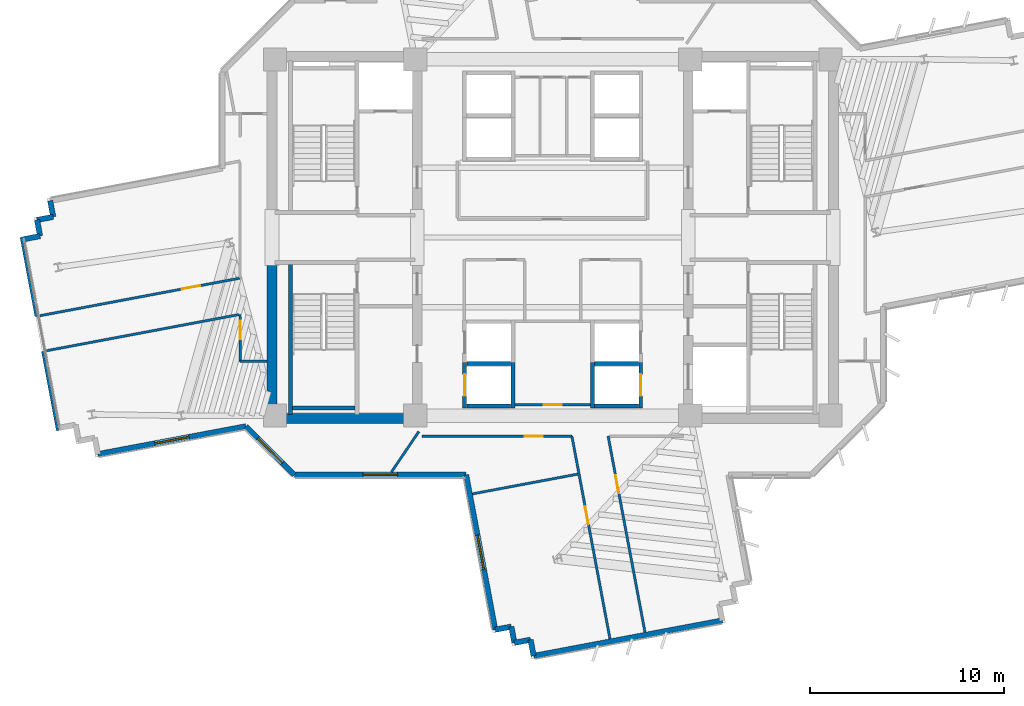
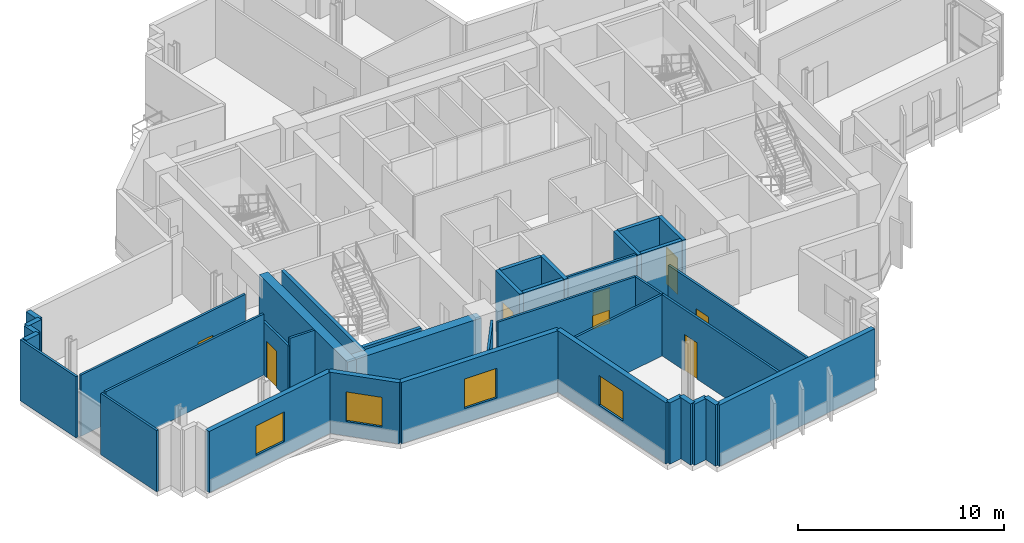
# One storey, part 8 of 16: 38 walls, 8 doors, 4 windows, 12 openings.
"""IFC4 building model written with IfcOpenShell, lengths in metres."""

from ifc_helpers import new_model, si_unit, direction, frame, frame_2d, origin, place, context, subcontext, project, spatial, rectangle, extrude, source, transform, mapped, material, layer, layer_set, type_object, element, fill, save


model = new_model("IFC4")

# Units and contexts
model_context = context("Model", 3, precision=1e-05, world=origin(), true_north=direction((0.0, 1.0)))
body_context = subcontext(model_context, "Body", "Model", "MODEL_VIEW")
ifc_project = project(units=[si_unit("LENGTHUNIT", "METRE"), si_unit("AREAUNIT", "SQUARE_METRE"), si_unit("VOLUMEUNIT", "CUBIC_METRE"), si_unit("PLANEANGLEUNIT", "RADIAN"), si_unit("MASSUNIT", "GRAM", prefix="KILO")], contexts=[model_context])

# Site, building, storey
site_placement = place(None, origin())
site = spatial("IfcSite", under=ifc_project, at=site_placement, CompositionType="ELEMENT")
building_placement = place(site_placement, origin())
building = spatial("IfcBuilding", under=site, at=building_placement, Name="Zahravan Cultural Tower", CompositionType="ELEMENT")
storey_placement = place(building_placement, frame((0.0, 0.0, 147.300048828125)))
storey = spatial("IfcBuildingStorey", under=building, at=storey_placement, Name="L33", CompositionType="ELEMENT", Elevation=147.300048828125)

# Wall, opening, window
ifc_material_1 = material(Name="Precast concrete C40/50", Category="concrete")
ifc_layer_1 = layer(ifc_material_1, 0.280029296875)
ifc_layer_set_1 = layer_set([ifc_layer_1], Name="Precast concrete C40/50")
wall_type_1 = type_object("IfcWallType", Name="EW-TC-280", PredefinedType="SOLIDWALL", material=ifc_layer_set_1)
wall_1_placement = place(storey_placement, frame((33.029052734375, 6.7431640625, 0.0), z_axis=(0.0, 0.0, 1.0), x_axis=(-0.184649032166, 0.982804525285, 0.0)))
wall_1 = element("IfcWall", 1, at=wall_1_placement, inside=storey, type_object=wall_type_1, Name="L33 Exterior Masonry Frame Wall 24", PredefinedType="SOLIDWALL", context=body_context, shape_type="SweptSolid", body=[
    extrude(rectangle(XDim=8.13671875, YDim=0.280029296875, at=frame_2d((4.068359375, 0.0))), origin(), (0.0, 0.0, 1.0), 3.619873046875),
])
opening_1_placement = place(wall_1_placement, frame((3.16796875, 0.0, 0.85009765625)))
opening_1 = element("IfcOpeningElement", 2, at=opening_1_placement, cuts=wall_1, Name="Opening WN-02", PredefinedType="OPENING", context=body_context, shape_type="SweptSolid", body=[
    extrude(rectangle(XDim=1.800048828125, YDim=1.75, at=frame_2d((0.89990234375, 0.875))), frame((0.0, 0.14990234375, 0.0), z_axis=(0.0, -1.0, 0.0), x_axis=(1.0, 0.0, 0.0)), (0.0, 0.0, 1.0), 0.300048828125),
])
ifc_material_2 = material(Name="Low-E solar-control double glazing", Category="glass")
window_type = type_object("IfcWindowType", Name="WN-REC-1800X1750", PartitioningType="DOUBLE_PANEL_VERTICAL", PredefinedType="WINDOW", material=ifc_material_2)
shared_shape_1 = source(origin(), body_context, "Body", "SweptSolid", [
    extrude(rectangle(XDim=1.800048828125, YDim=1.75, at=frame_2d((0.89990234375, 0.875))), frame((0.0, 0.030029296875, 0.0), z_axis=(0.0, -1.0, 0.0), x_axis=(1.0, 0.0, 0.0)), (0.0, 0.0, 1.0), 0.06005859375),
])
window_1_placement = place(opening_1_placement, origin())
window_1 = element("IfcWindow", 3, at=window_1_placement, inside=storey, type_object=window_type, Name="L33 Recessed Solar Window 05", OverallHeight=1.75, OverallWidth=1.800048828125, PartitioningType="DOUBLE_PANEL_VERTICAL", PredefinedType="WINDOW", context=body_context, shape_type="MappedRepresentation", body=[
    mapped(shared_shape_1, transform((0.0, 0.0, 0.0), x_axis=(1.0, 0.0, 0.0), y_axis=(0.0, 1.0, 0.0), z_axis=(0.0, 0.0, 1.0), scale=1.0)),
])
fill(opening_1, window_1)

wall_2_placement = place(storey_placement, frame((31.526611328125, 14.739990234375, 0.0), z_axis=(0.0, 0.0, 1.0), x_axis=(-1.0, 0.0, 0.0)))
wall_2 = element("IfcWall", 4, at=wall_2_placement, inside=storey, type_object=wall_type_1, Name="L33 Exterior Masonry Frame Wall 25", PredefinedType="SOLIDWALL", context=body_context, shape_type="SweptSolid", body=[
    extrude(rectangle(XDim=8.86865234375, YDim=0.280029296875, at=frame_2d((4.434326171875, 0.0))), origin(), (0.0, 0.0, 1.0), 3.619873046875),
])
opening_2_placement = place(wall_2_placement, frame((3.533935546875, 0.0, 0.85009765625)))
opening_2 = element("IfcOpeningElement", 5, at=opening_2_placement, cuts=wall_2, Name="Opening WN-02", PredefinedType="OPENING", context=body_context, shape_type="SweptSolid", body=[
    extrude(rectangle(XDim=1.800048828125, YDim=1.75, at=frame_2d((0.89990234375, 0.875))), frame((0.0, 0.14990234375, 0.0), z_axis=(0.0, -1.0, 0.0), x_axis=(1.0, 0.0, 0.0)), (0.0, 0.0, 1.0), 0.300048828125),
])
window_2_placement = place(opening_2_placement, origin())
window_2 = element("IfcWindow", 6, at=window_2_placement, inside=storey, type_object=window_type, Name="L33 Recessed Solar Window 06", OverallHeight=1.75, OverallWidth=1.800048828125, PartitioningType="DOUBLE_PANEL_VERTICAL", PredefinedType="WINDOW", context=body_context, shape_type="MappedRepresentation", body=[
    mapped(shared_shape_1, transform((0.0, 0.0, 0.0), x_axis=(1.0, 0.0, 0.0), y_axis=(0.0, 1.0, 0.0), z_axis=(0.0, 0.0, 1.0), scale=1.0)),
])
fill(opening_2, window_2)

wall_3_placement = place(storey_placement, frame((22.657958984375, 14.739990234375, 0.0), z_axis=(0.0, 0.0, 1.0), x_axis=(-0.707106781187, 0.707106781187, 0.0)))
wall_3 = element("IfcWall", 7, at=wall_3_placement, inside=storey, type_object=wall_type_1, Name="L33 Exterior Masonry Frame Wall 26", PredefinedType="SOLIDWALL", context=body_context, shape_type="SweptSolid", body=[
    extrude(rectangle(XDim=3.544189453125, YDim=0.280029296875, at=frame_2d((1.77197265625, 0.0))), origin(), (0.0, 0.0, 1.0), 3.619873046875),
])
opening_3_placement = place(wall_3_placement, frame((0.8720703125, 0.0, 0.85009765625)))
opening_3 = element("IfcOpeningElement", 8, at=opening_3_placement, cuts=wall_3, Name="Opening WN-02", PredefinedType="OPENING", context=body_context, shape_type="SweptSolid", body=[
    extrude(rectangle(XDim=1.800048828125, YDim=1.75, at=frame_2d((0.89990234375, 0.875))), frame((0.0, 0.14990234375, 0.0), z_axis=(0.0, -1.0, 0.0), x_axis=(1.0, 0.0, 0.0)), (0.0, 0.0, 1.0), 0.300048828125),
])
window_3_placement = place(opening_3_placement, origin())
window_3 = element("IfcWindow", 9, at=window_3_placement, inside=storey, type_object=window_type, Name="L33 Recessed Solar Window 07", OverallHeight=1.75, OverallWidth=1.800048828125, PartitioningType="DOUBLE_PANEL_VERTICAL", PredefinedType="WINDOW", context=body_context, shape_type="MappedRepresentation", body=[
    mapped(shared_shape_1, transform((0.0, 0.0, 0.0), x_axis=(1.0, 0.0, 0.0), y_axis=(0.0, 1.0, 0.0), z_axis=(0.0, 0.0, 1.0), scale=1.0)),
])
fill(opening_3, window_3)

wall_4_placement = place(storey_placement, frame((20.15185546875, 17.24609375, 0.0), z_axis=(0.0, 0.0, 1.0), x_axis=(-0.982809278234, -0.18462373254, 0.0)))
wall_4 = element("IfcWall", 10, at=wall_4_placement, inside=storey, type_object=wall_type_1, Name="L33 Exterior Masonry Frame Wall 27", PredefinedType="SOLIDWALL", context=body_context, shape_type="SweptSolid", body=[
    extrude(rectangle(XDim=7.783447265625, YDim=0.280029296875, at=frame_2d((3.8916015625, 0.0))), origin(), (0.0, 0.0, 1.0), 3.619873046875),
])
opening_4_placement = place(wall_4_placement, frame((2.991943359375, 0.0, 0.85009765625)))
opening_4 = element("IfcOpeningElement", 11, at=opening_4_placement, cuts=wall_4, Name="Opening WN-02", PredefinedType="OPENING", context=body_context, shape_type="SweptSolid", body=[
    extrude(rectangle(XDim=1.800048828125, YDim=1.75, at=frame_2d((0.89990234375, 0.875))), frame((0.0, 0.14990234375, 0.0), z_axis=(0.0, -1.0, 0.0), x_axis=(1.0, 0.0, 0.0)), (0.0, 0.0, 1.0), 0.300048828125),
])
window_4_placement = place(opening_4_placement, origin())
window_4 = element("IfcWindow", 12, at=window_4_placement, inside=storey, type_object=window_type, Name="L33 Recessed Solar Window 08", OverallHeight=1.75, OverallWidth=1.800048828125, PartitioningType="DOUBLE_PANEL_VERTICAL", PredefinedType="WINDOW", context=body_context, shape_type="MappedRepresentation", body=[
    mapped(shared_shape_1, transform((0.0, 0.0, 0.0), x_axis=(1.0, 0.0, 0.0), y_axis=(0.0, 1.0, 0.0), z_axis=(0.0, 0.0, 1.0), scale=1.0)),
])
fill(opening_4, window_4)

# Wall, opening, door
ifc_material_3 = material(Name="Gypsum plasterboard partition")
ifc_layer_2 = layer(ifc_material_3, 0.125)
ifc_layer_set_2 = layer_set([ifc_layer_2], Name="Gypsum plasterboard partition")
wall_type_2 = type_object("IfcWallType", Name="W-PART-125", PredefinedType="PARTITIONING", material=ifc_layer_set_2)
wall_5_placement = place(storey_placement, frame((37.945068359375, 18.360107421875, 0.0), z_axis=(0.0, 0.0, 1.0), x_axis=(-1.0, 0.0, 0.0)))
wall_5 = element("IfcWall", 13, at=wall_5_placement, inside=storey, type_object=wall_type_2, Name="L33 Interior Wall 075", PredefinedType="PARTITIONING", context=body_context, shape_type="SweptSolid", body=[
    extrude(rectangle(XDim=3.89013671875, YDim=0.125, at=frame_2d((1.945068359375, 0.0))), origin(), (0.0, 0.0, 1.0), 3.619873046875),
])
opening_5_placement = place(wall_5_placement, frame((1.469970703125, 0.0, 0.0)))
opening_5 = element("IfcOpeningElement", 14, at=opening_5_placement, cuts=wall_5, Name="Opening D-L33-17", PredefinedType="OPENING", context=body_context, shape_type="SweptSolid", body=[
    extrude(rectangle(XDim=0.949951171875, YDim=2.14990234375, at=frame_2d((0.47509765625, 1.074951171875))), frame((0.0, 0.072509765625, 0.0), z_axis=(0.0, -1.0, 0.0), x_axis=(1.0, 0.0, 0.0)), (0.0, 0.0, 1.0), 0.14501953125),
])
ifc_material_4 = material(Name="Anodised bronze-aluminium mullion", Category="aluminium")
door_type_1 = type_object("IfcDoorType", Name="DR-ROOM-950", OperationType="NOTDEFINED", PredefinedType="DOOR", material=ifc_material_4)
shared_shape_2 = source(origin(), body_context, "Body", "SweptSolid", [
    extrude(rectangle(XDim=0.949951171875, YDim=2.14990234375, at=frame_2d((0.47509765625, 1.074951171875))), frame((0.0, 0.02490234375, 0.0), z_axis=(0.0, -1.0, 0.0), x_axis=(1.0, 0.0, 0.0)), (0.0, 0.0, 1.0), 0.050048828125),
])
door_1_placement = place(opening_5_placement, origin())
door_1 = element("IfcDoor", 15, at=door_1_placement, inside=storey, type_object=door_type_1, Name="L33 Door D-L33-17", OperationType="SINGLE_SWING_LEFT", OverallHeight=2.14990234375, OverallWidth=0.949951171875, PredefinedType="DOOR", context=body_context, shape_type="MappedRepresentation", body=[
    mapped(shared_shape_2, transform((0.0, 0.0, 0.0), x_axis=(1.0, 0.0, 0.0), y_axis=(0.0, 1.0, 0.0), z_axis=(0.0, 0.0, 1.0), scale=1.0)),
])
fill(opening_5, door_1)

wall_6_placement = place(storey_placement, frame((29.255859375, 16.739990234375, 0.0), z_axis=(0.0, 0.0, 1.0), x_axis=(1.0, 0.0, 0.0)))
wall_6 = element("IfcWall", 16, at=wall_6_placement, inside=storey, type_object=wall_type_2, Name="L33 Interior Wall 080", PredefinedType="PARTITIONING", context=body_context, shape_type="SweptSolid", body=[
    extrude(rectangle(XDim=7.735595703125, YDim=0.125, at=frame_2d((3.86767578125, 0.0))), origin(), (0.0, 0.0, 1.0), 3.619873046875),
])
opening_6_placement = place(wall_6_placement, frame((5.292724609375, 0.0, 0.0)))
opening_6 = element("IfcOpeningElement", 17, at=opening_6_placement, cuts=wall_6, Name="Opening D-L33-27", PredefinedType="OPENING", context=body_context, shape_type="SweptSolid", body=[
    extrude(rectangle(XDim=0.949951171875, YDim=2.14990234375, at=frame_2d((0.47509765625, 1.074951171875))), frame((0.0, 0.072509765625, 0.0), z_axis=(0.0, -1.0, 0.0), x_axis=(1.0, 0.0, 0.0)), (0.0, 0.0, 1.0), 0.14501953125),
])
door_2_placement = place(opening_6_placement, origin())
door_2 = element("IfcDoor", 18, at=door_2_placement, inside=storey, type_object=door_type_1, Name="L33 Door D-L33-27", OperationType="SINGLE_SWING_LEFT", OverallHeight=2.14990234375, OverallWidth=0.949951171875, PredefinedType="DOOR", context=body_context, shape_type="MappedRepresentation", body=[
    mapped(shared_shape_2, transform((0.0, 0.0, 0.0), x_axis=(1.0, 0.0, 0.0), y_axis=(0.0, 1.0, 0.0), z_axis=(0.0, 0.0, 1.0), scale=1.0)),
])
fill(opening_6, door_2)

wall_7_placement = place(storey_placement, frame((37.361328125, 14.77099609375, 0.0), z_axis=(0.0, 0.0, 1.0), x_axis=(0.18463806937, -0.982806584908, 0.0)))
wall_7 = element("IfcWall", 19, at=wall_7_placement, inside=storey, type_object=wall_type_2, Name="L33 Interior Wall 088", PredefinedType="PARTITIONING", context=body_context, shape_type="SweptSolid", body=[
    extrude(rectangle(XDim=8.64501953125, YDim=0.125, at=frame_2d((4.322509765625, 0.0))), origin(), (0.0, 0.0, 1.0), 3.619873046875),
])
opening_7_placement = place(wall_7_placement, frame((1.69287109375, 0.0, 0.0)))
opening_7 = element("IfcOpeningElement", 20, at=opening_7_placement, cuts=wall_7, Name="Opening D-L33-28", PredefinedType="OPENING", context=body_context, shape_type="SweptSolid", body=[
    extrude(rectangle(XDim=0.949951171875, YDim=2.14990234375, at=frame_2d((0.47509765625, 1.074951171875))), frame((0.0, 0.072509765625, 0.0), z_axis=(0.0, -1.0, 0.0), x_axis=(1.0, 0.0, 0.0)), (0.0, 0.0, 1.0), 0.14501953125),
])
door_3_placement = place(opening_7_placement, origin())
door_3 = element("IfcDoor", 21, at=door_3_placement, inside=storey, type_object=door_type_1, Name="L33 Door D-L33-28", OperationType="SINGLE_SWING_RIGHT", OverallHeight=2.14990234375, OverallWidth=0.949951171875, PredefinedType="DOOR", context=body_context, shape_type="MappedRepresentation", body=[
    mapped(shared_shape_2, transform((0.0, 0.0, 0.0), x_axis=(1.0, 0.0, 0.0), y_axis=(0.0, 1.0, 0.0), z_axis=(0.0, 0.0, 1.0), scale=1.0)),
])
fill(opening_7, door_3)

wall_8_placement = place(storey_placement, frame((19.849853515625, 24.902099609375, 0.0), z_axis=(0.0, 0.0, 1.0), x_axis=(-0.982804817995, -0.184647474194, 0.0)))
wall_8 = element("IfcWall", 22, at=wall_8_placement, inside=storey, type_object=wall_type_2, Name="L33 Interior Wall 096", PredefinedType="PARTITIONING", context=body_context, shape_type="SweptSolid", body=[
    extrude(rectangle(XDim=10.5126953125, YDim=0.125, at=frame_2d((5.25634765625, 0.0))), origin(), (0.0, 0.0, 1.0), 3.619873046875),
])
opening_8_placement = place(wall_8_placement, frame((2.103759765625, 0.0, 0.0)))
opening_8 = element("IfcOpeningElement", 23, at=opening_8_placement, cuts=wall_8, Name="Opening D-L33-25", PredefinedType="OPENING", context=body_context, shape_type="SweptSolid", body=[
    extrude(rectangle(XDim=0.949951171875, YDim=2.14990234375, at=frame_2d((0.47509765625, 1.074951171875))), frame((0.0, 0.072509765625, 0.0), z_axis=(0.0, -1.0, 0.0), x_axis=(1.0, 0.0, 0.0)), (0.0, 0.0, 1.0), 0.14501953125),
])
door_4_placement = place(opening_8_placement, origin())
door_4 = element("IfcDoor", 24, at=door_4_placement, inside=storey, type_object=door_type_1, Name="L33 Door D-L33-25", OperationType="SINGLE_SWING_LEFT", OverallHeight=2.14990234375, OverallWidth=0.949951171875, PredefinedType="DOOR", context=body_context, shape_type="MappedRepresentation", body=[
    mapped(shared_shape_2, transform((0.0, 0.0, 0.0), x_axis=(1.0, 0.0, 0.0), y_axis=(0.0, 1.0, 0.0), z_axis=(0.0, 0.0, 1.0), scale=1.0)),
])
fill(opening_8, door_4)

wall_9_placement = place(storey_placement, frame((40.765869140625, 6.614501953125, 0.0), z_axis=(0.0, 0.0, 1.0), x_axis=(-0.184646211839, 0.982805055163, 0.0)))
wall_9 = element("IfcWall", 25, at=wall_9_placement, inside=storey, type_object=wall_type_2, Name="L33 Interior Wall 097", PredefinedType="PARTITIONING", context=body_context, shape_type="SweptSolid", body=[
    extrude(rectangle(XDim=10.302734375, YDim=0.125, at=frame_2d((5.1513671875, 0.0))), origin(), (0.0, 0.0, 1.0), 3.619873046875),
])
opening_9_placement = place(wall_9_placement, frame((7.295166015625, 0.0, 0.0)))
opening_9 = element("IfcOpeningElement", 26, at=opening_9_placement, cuts=wall_9, Name="Opening D-L33-29", PredefinedType="OPENING", context=body_context, shape_type="SweptSolid", body=[
    extrude(rectangle(XDim=0.949951171875, YDim=2.14990234375, at=frame_2d((0.47509765625, 1.074951171875))), frame((0.0, 0.072509765625, 0.0), z_axis=(0.0, -1.0, 0.0), x_axis=(1.0, 0.0, 0.0)), (0.0, 0.0, 1.0), 0.14501953125),
])
door_5_placement = place(opening_9_placement, origin())
door_5 = element("IfcDoor", 27, at=door_5_placement, inside=storey, type_object=door_type_1, Name="L33 Door D-L33-29", OperationType="SINGLE_SWING_LEFT", OverallHeight=2.14990234375, OverallWidth=0.949951171875, PredefinedType="DOOR", context=body_context, shape_type="MappedRepresentation", body=[
    mapped(shared_shape_2, transform((0.0, 0.0, 0.0), x_axis=(1.0, 0.0, 0.0), y_axis=(0.0, 1.0, 0.0), z_axis=(0.0, 0.0, 1.0), scale=1.0)),
])
fill(opening_9, door_5)

wall_10_placement = place(storey_placement, frame((19.85009765625, 23.02978515625, 0.0), z_axis=(0.0, 0.0, 1.0), x_axis=(0.00040209084, -0.999999919161, 0.0)))
wall_10 = element("IfcWall", 28, at=wall_10_placement, inside=storey, type_object=wall_type_2, Name="L33 Interior Wall 105", PredefinedType="PARTITIONING", context=body_context, shape_type="SweptSolid", body=[
    extrude(rectangle(XDim=2.4287109375, YDim=0.125, at=frame_2d((1.21435546875, 0.0))), origin(), (0.0, 0.0, 1.0), 3.14892578125),
])
opening_10_placement = place(wall_10_placement, frame((0.3251953125, 0.0, 0.0)))
opening_10 = element("IfcOpeningElement", 29, at=opening_10_placement, cuts=wall_10, Name="Opening D-L33-26", PredefinedType="OPENING", context=body_context, shape_type="SweptSolid", body=[
    extrude(rectangle(XDim=0.949951171875, YDim=2.14990234375, at=frame_2d((0.47509765625, 1.074951171875))), frame((0.0, 0.072509765625, 0.0), z_axis=(0.0, -1.0, 0.0), x_axis=(1.0, 0.0, 0.0)), (0.0, 0.0, 1.0), 0.14501953125),
])
door_6_placement = place(opening_10_placement, origin())
door_6 = element("IfcDoor", 30, at=door_6_placement, inside=storey, type_object=door_type_1, Name="L33 Door D-L33-26", OperationType="SINGLE_SWING_RIGHT", OverallHeight=2.14990234375, OverallWidth=0.949951171875, PredefinedType="DOOR", context=body_context, shape_type="MappedRepresentation", body=[
    mapped(shared_shape_2, transform((0.0, 0.0, 0.0), x_axis=(1.0, 0.0, 0.0), y_axis=(0.0, 1.0, 0.0), z_axis=(0.0, 0.0, 1.0), scale=1.0)),
])
fill(opening_10, door_6)

ifc_material_5 = material(Name="Concrete C45/55", Category="concrete")
ifc_layer_3 = layer(ifc_material_5, 0.199951171875)
ifc_layer_set_3 = layer_set([ifc_layer_3], Name="Concrete C45/55")
wall_type_3 = type_object("IfcWallType", Name="W-SHAFT-200", PredefinedType="SOLIDWALL", material=ifc_layer_set_3)
wall_11_placement = place(storey_placement, frame((31.449951171875, 18.199951171875, 0.0), z_axis=(0.0, 0.0, 1.0), x_axis=(0.0, 1.0, 0.0)))
wall_11 = element("IfcWall", 31, at=wall_11_placement, inside=storey, type_object=wall_type_3, Name="L33 Interior Wall 044", PredefinedType="SOLIDWALL", context=body_context, shape_type="SweptSolid", body=[
    extrude(rectangle(XDim=2.35009765625, YDim=0.199951171875, at=frame_2d((1.175048828125, 0.0))), origin(), (0.0, 0.0, 1.0), 3.619873046875),
])
opening_11_placement = place(wall_11_placement, frame((0.625, 0.0, 0.0)))
opening_11 = element("IfcOpeningElement", 32, at=opening_11_placement, cuts=wall_11, Name="Opening LD-L33-05", PredefinedType="OPENING", context=body_context, shape_type="SweptSolid", body=[
    extrude(rectangle(XDim=1.10009765625, YDim=2.14990234375, at=frame_2d((0.550048828125, 1.074951171875))), frame((0.0, 0.10986328125, 0.0), z_axis=(0.0, -1.0, 0.0), x_axis=(1.0, 0.0, 0.0)), (0.0, 0.0, 1.0), 0.219970703125),
])
ifc_material_6 = material(Name="Steel ASTM A572 Grade 50", Category="steel")
door_type_2 = type_object("IfcDoorType", Name="DR-LIFT-1100", OperationType="DOUBLE_DOOR_SLIDING", PredefinedType="DOOR", material=ifc_material_6)
shared_shape_3 = source(origin(), body_context, "Body", "SweptSolid", [
    extrude(rectangle(XDim=1.10009765625, YDim=2.14990234375, at=frame_2d((0.550048828125, 1.074951171875))), frame((0.0, 0.02490234375, 0.0), z_axis=(0.0, -1.0, 0.0), x_axis=(1.0, 0.0, 0.0)), (0.0, 0.0, 1.0), 0.050048828125),
])
door_7_placement = place(opening_11_placement, origin())
door_7 = element("IfcDoor", 33, at=door_7_placement, inside=storey, type_object=door_type_2, Name="L33 Door LD-L33-05", OperationType="DOUBLE_DOOR_SLIDING", OverallHeight=2.14990234375, OverallWidth=1.10009765625, PredefinedType="DOOR", context=body_context, shape_type="MappedRepresentation", body=[
    mapped(shared_shape_3, transform((0.0, 0.0, 0.0), x_axis=(1.0, 0.0, 0.0), y_axis=(0.0, 1.0, 0.0), z_axis=(0.0, 0.0, 1.0), scale=1.0)),
])
fill(opening_11, door_7)

wall_12_placement = place(storey_placement, frame((40.550048828125, 18.199951171875, 0.0), z_axis=(0.0, 0.0, 1.0), x_axis=(0.0, 1.0, 0.0)))
wall_12 = element("IfcWall", 34, at=wall_12_placement, inside=storey, type_object=wall_type_3, Name="L33 Interior Wall 052", PredefinedType="SOLIDWALL", context=body_context, shape_type="SweptSolid", body=[
    extrude(rectangle(XDim=2.35009765625, YDim=0.199951171875, at=frame_2d((1.175048828125, 0.0))), origin(), (0.0, 0.0, 1.0), 3.619873046875),
])
opening_12_placement = place(wall_12_placement, frame((0.625, 0.0, 0.0)))
opening_12 = element("IfcOpeningElement", 35, at=opening_12_placement, cuts=wall_12, Name="Opening LD-L33-07", PredefinedType="OPENING", context=body_context, shape_type="SweptSolid", body=[
    extrude(rectangle(XDim=1.10009765625, YDim=2.14990234375, at=frame_2d((0.550048828125, 1.074951171875))), frame((0.0, 0.10986328125, 0.0), z_axis=(0.0, -1.0, 0.0), x_axis=(1.0, 0.0, 0.0)), (0.0, 0.0, 1.0), 0.219970703125),
])
door_8_placement = place(opening_12_placement, origin())
door_8 = element("IfcDoor", 36, at=door_8_placement, inside=storey, type_object=door_type_2, Name="L33 Door LD-L33-07", OperationType="DOUBLE_DOOR_SLIDING", OverallHeight=2.14990234375, OverallWidth=1.10009765625, PredefinedType="DOOR", context=body_context, shape_type="MappedRepresentation", body=[
    mapped(shared_shape_3, transform((0.0, 0.0, 0.0), x_axis=(1.0, 0.0, 0.0), y_axis=(0.0, 1.0, 0.0), z_axis=(0.0, 0.0, 1.0), scale=1.0)),
])
fill(opening_12, door_8)

# Walls
ifc_material_7 = material(Name="Concrete C60/75", Category="concrete")
ifc_layer_4 = layer(ifc_material_7, 0.5)
ifc_layer_set_4 = layer_set([ifc_layer_4], Name="Concrete C60/75")
wall_type_4 = type_object("IfcWallType", Name="CW-SHEAR-500-C60", PredefinedType="SHEAR", material=ifc_layer_set_4)
shared_shape_4 = source(origin(), body_context, "Body", "SweptSolid", [
    extrude(rectangle(XDim=8.550048828125, YDim=0.5, at=frame_2d((4.27490234375, 0.0))), origin(), (0.0, 0.0, 1.0), 3.619873046875),
])
wall_13_placement = place(storey_placement, frame((21.5, 17.39990234375, 0.0), z_axis=(0.0, 0.0, 1.0), x_axis=(0.0, 1.0, 0.0)))
element("IfcWall", 37, at=wall_13_placement, inside=storey, type_object=wall_type_4, Name="L33 Core Shear Wall CW-W-WS-L33", PredefinedType="SHEAR", context=body_context, shape_type="MappedRepresentation", body=[
    mapped(shared_shape_4, transform((0.0, 0.0, 0.0), x_axis=(1.0, 0.0, 0.0), y_axis=(0.0, 1.0, 0.0), z_axis=(0.0, 0.0, 1.0), scale=1.0)),
])
shared_shape_5 = source(origin(), body_context, "Body", "SweptSolid", [
    extrude(rectangle(XDim=7.0, YDim=0.5, at=frame_2d((3.5, 0.0))), origin(), (0.0, 0.0, 1.0), 3.619873046875),
])
wall_14_placement = place(storey_placement, frame((21.75, 17.64990234375, 0.0), z_axis=(0.0, 0.0, 1.0), x_axis=(1.0, 0.0, 0.0)))
element("IfcWall", 38, at=wall_14_placement, inside=storey, type_object=wall_type_4, Name="L33 Core Shear Wall CW-W-S-L33", PredefinedType="SHEAR", context=body_context, shape_type="MappedRepresentation", body=[
    mapped(shared_shape_5, transform((0.0, 0.0, 0.0), x_axis=(1.0, 0.0, 0.0), y_axis=(0.0, 1.0, 0.0), z_axis=(0.0, 0.0, 1.0), scale=1.0)),
])
shared_shape_6 = source(origin(), body_context, "Body", "SweptSolid", [
    extrude(rectangle(XDim=0.85009765625, YDim=0.280029296875, at=frame_2d((0.425048828125, 0.0))), origin(), (0.0, 0.0, 1.0), 3.619873046875),
])
for number, where, z_axis, x_axis, name in (
    (39, (35.013916015625, 5.38623046875, 0.0), (0.0, 0.0, 1.0), (-0.184670010318, 0.982800583684, 0.0), "L33 Exterior Masonry Frame Wall 20"),
    (40, (34.85693359375, 6.2216796875, 0.0), (0.0, 0.0, 1.0), (-0.982800583684, -0.184670010318, 0.0), "L33 Exterior Masonry Frame Wall 21"),
    (41, (34.021484375, 6.064697265625, 0.0), (0.0, 0.0, 1.0), (-0.184670010318, 0.982800583684, 0.0), "L33 Exterior Masonry Frame Wall 22"),
    (42, (33.864501953125, 6.900146484375, 0.0), (0.0, 0.0, 1.0), (-0.982800583684, -0.184670010318, 0.0), "L33 Exterior Masonry Frame Wall 23"),
    (43, (8.68603515625, 26.915283203125, 0.0), (0.0, 0.0, 1.0), (0.982800583684, 0.184670010318, 0.0), "L33 Exterior Masonry Frame Wall 32"),
    (44, (9.521484375, 27.072265625, 0.0), (0.0, 0.0, 1.0), (-0.184670010318, 0.982800583684, 0.0), "L33 Exterior Masonry Frame Wall 33"),
    (45, (10.19970703125, 28.064697265625, 0.0), (0.0, 0.0, 1.0), (-0.184392582027, 0.982852672425, 0.0), "L33 Exterior Masonry Frame Wall 35"),
):
    element("IfcWall", number, at=place(storey_placement, frame(where, z_axis=z_axis, x_axis=x_axis)), inside=storey, type_object=wall_type_1, Name=name, PredefinedType="SOLIDWALL", context=body_context, shape_type="MappedRepresentation", body=[
        mapped(shared_shape_6, transform((0.0, 0.0, 0.0), x_axis=(1.0, 0.0, 0.0), y_axis=(0.0, 1.0, 0.0), z_axis=(0.0, 0.0, 1.0), scale=1.0)),
    ])
shared_shape_7 = source(origin(), body_context, "Body", "SweptSolid", [
    extrude(rectangle(XDim=0.849853515625, YDim=0.280029296875, at=frame_2d((0.4248046875, 0.0))), origin(), (0.0, 0.0, 1.0), 3.619873046875),
])
wall_15_placement = place(storey_placement, frame((9.364501953125, 27.90771484375, 0.0), z_axis=(0.0, 0.0, 1.0), x_axis=(0.982790785128, 0.184722149909, 0.0)))
element("IfcWall", 46, at=wall_15_placement, inside=storey, type_object=wall_type_1, Name="L33 Exterior Masonry Frame Wall 34", PredefinedType="SOLIDWALL", context=body_context, shape_type="MappedRepresentation", body=[
    mapped(shared_shape_7, transform((0.0, 0.0, 0.0), x_axis=(1.0, 0.0, 0.0), y_axis=(0.0, 1.0, 0.0), z_axis=(0.0, 0.0, 1.0), scale=1.0)),
])
shared_shape_8 = source(origin(), body_context, "Body", "SweptSolid", [
    extrude(rectangle(XDim=9.919921875, YDim=0.280029296875, at=frame_2d((4.9599609375, 0.0))), origin(), (0.0, 0.0, 1.0), 3.619873046875),
])
wall_16_placement = place(storey_placement, frame((44.76318359375, 7.2177734375, 0.0), z_axis=(0.0, 0.0, 1.0), x_axis=(-0.982807207568, -0.184634754994, 0.0)))
element("IfcWall", 47, at=wall_16_placement, inside=storey, type_object=wall_type_1, Name="L33 Exterior Masonry Frame Wall 19", PredefinedType="SOLIDWALL", context=body_context, shape_type="MappedRepresentation", body=[
    mapped(shared_shape_8, transform((0.0, 0.0, 0.0), x_axis=(1.0, 0.0, 0.0), y_axis=(0.0, 1.0, 0.0), z_axis=(0.0, 0.0, 1.0), scale=1.0)),
])
shared_shape_9 = source(origin(), body_context, "Body", "SweptSolid", [
    extrude(rectangle(XDim=7.869873046875, YDim=0.199951171875, at=frame_2d((3.93505859375, 0.0))), origin(), (0.0, 0.0, 1.0), 3.619873046875),
])
wall_17_placement = place(storey_placement, frame((22.449951171875, 17.85009765625, 0.0), z_axis=(0.0, 0.0, 1.0), x_axis=(0.0, 1.0, 0.0)))
element("IfcWall", 48, at=wall_17_placement, inside=storey, type_object=wall_type_3, Name="L33 Interior Wall 001", PredefinedType="SOLIDWALL", context=body_context, shape_type="MappedRepresentation", body=[
    mapped(shared_shape_9, transform((0.0, 0.0, 0.0), x_axis=(1.0, 0.0, 0.0), y_axis=(0.0, 1.0, 0.0), z_axis=(0.0, 0.0, 1.0), scale=1.0)),
])
shared_shape_10 = source(origin(), body_context, "Body", "SweptSolid", [
    extrude(rectangle(XDim=3.25, YDim=0.199951171875, at=frame_2d((1.625, 0.0))), origin(), (0.0, 0.0, 1.0), 3.619873046875),
])
wall_18_placement = place(storey_placement, frame((22.550048828125, 18.199951171875, 0.0), z_axis=(0.0, 0.0, 1.0), x_axis=(1.0, 0.0, 0.0)))
element("IfcWall", 49, at=wall_18_placement, inside=storey, type_object=wall_type_3, Name="L33 Interior Wall 019", PredefinedType="SOLIDWALL", context=body_context, shape_type="MappedRepresentation", body=[
    mapped(shared_shape_10, transform((0.0, 0.0, 0.0), x_axis=(1.0, 0.0, 0.0), y_axis=(0.0, 1.0, 0.0), z_axis=(0.0, 0.0, 1.0), scale=1.0)),
])
shared_shape_11 = source(origin(), body_context, "Body", "SweptSolid", [
    extrude(rectangle(XDim=2.260009765625, YDim=0.199951171875, at=frame_2d((1.1298828125, 0.0))), origin(), (0.0, 0.0, 1.0), 3.619873046875),
])
for number, where, z_axis, x_axis, name in (
    (50, (31.570068359375, 20.5, 0.0), (0.0, 0.0, 1.0), (1.0, 0.0, 0.0), "L33 Interior Wall 042"),
    (51, (31.570068359375, 18.300048828125, 0.0), (0.0, 0.0, 1.0), (1.0, 0.0, 0.0), "L33 Interior Wall 046"),
    (52, (38.169921875, 20.5, 0.0), (0.0, 0.0, 1.0), (1.0, 0.0, 0.0), "L33 Interior Wall 049"),
    (53, (38.169921875, 18.300048828125, 0.0), (0.0, 0.0, 1.0), (1.0, 0.0, 0.0), "L33 Interior Wall 053"),
):
    element("IfcWall", number, at=place(storey_placement, frame(where, z_axis=z_axis, x_axis=x_axis)), inside=storey, type_object=wall_type_3, Name=name, PredefinedType="SOLIDWALL", context=body_context, shape_type="MappedRepresentation", body=[
        mapped(shared_shape_11, transform((0.0, 0.0, 0.0), x_axis=(1.0, 0.0, 0.0), y_axis=(0.0, 1.0, 0.0), z_axis=(0.0, 0.0, 1.0), scale=1.0)),
    ])
shared_shape_12 = source(origin(), body_context, "Body", "SweptSolid", [
    extrude(rectangle(XDim=2.35009765625, YDim=0.199951171875, at=frame_2d((1.175048828125, 0.0))), origin(), (0.0, 0.0, 1.0), 3.619873046875),
])
for number, where, z_axis, x_axis, name in (
    (54, (33.949951171875, 18.199951171875, 0.0), (0.0, 0.0, 1.0), (0.0, 1.0, 0.0), "L33 Interior Wall 045"),
    (55, (38.050048828125, 18.199951171875, 0.0), (0.0, 0.0, 1.0), (0.0, 1.0, 0.0), "L33 Interior Wall 051"),
):
    element("IfcWall", number, at=place(storey_placement, frame(where, z_axis=z_axis, x_axis=x_axis)), inside=storey, type_object=wall_type_3, Name=name, PredefinedType="SOLIDWALL", context=body_context, shape_type="MappedRepresentation", body=[
        mapped(shared_shape_12, transform((0.0, 0.0, 0.0), x_axis=(1.0, 0.0, 0.0), y_axis=(0.0, 1.0, 0.0), z_axis=(0.0, 0.0, 1.0), scale=1.0)),
    ])
shared_shape_13 = source(origin(), body_context, "Body", "SweptSolid", [
    extrude(rectangle(XDim=1.9833984375, YDim=0.125, at=frame_2d((0.99169921875, 0.0))), origin(), (0.0, 0.0, 1.0), 3.619873046875),
])
wall_19_placement = place(storey_placement, frame((36.991455078125, 16.739990234375, 0.0), z_axis=(0.0, 0.0, 1.0), x_axis=(0.184645271511, -0.982805231828, 0.0)))
element("IfcWall", 56, at=wall_19_placement, inside=storey, type_object=wall_type_2, Name="L33 Interior Wall 081", PredefinedType="PARTITIONING", context=body_context, shape_type="MappedRepresentation", body=[
    mapped(shared_shape_13, transform((0.0, 0.0, 0.0), x_axis=(1.0, 0.0, 0.0), y_axis=(0.0, 1.0, 0.0), z_axis=(0.0, 0.0, 1.0), scale=1.0)),
])
shared_shape_14 = source(origin(), body_context, "Body", "SweptSolid", [
    extrude(rectangle(XDim=5.52734375, YDim=0.125, at=frame_2d((2.763671875, 0.0))), origin(), (0.0, 0.0, 1.0), 3.619873046875),
])
wall_20_placement = place(storey_placement, frame((37.291259765625, 14.7783203125, 0.0), z_axis=(0.0, 0.0, 1.0), x_axis=(-0.982808624954, -0.184627210117, 0.0)))
element("IfcWall", 57, at=wall_20_placement, inside=storey, type_object=wall_type_2, Name="L33 Interior Wall 082", PredefinedType="PARTITIONING", context=body_context, shape_type="MappedRepresentation", body=[
    mapped(shared_shape_14, transform((0.0, 0.0, 0.0), x_axis=(1.0, 0.0, 0.0), y_axis=(0.0, 1.0, 0.0), z_axis=(0.0, 0.0, 1.0), scale=1.0)),
])
shared_shape_15 = source(origin(), body_context, "Body", "SweptSolid", [
    extrude(rectangle(XDim=2.529541015625, YDim=0.125, at=frame_2d((1.2646484375, 0.0))), origin(), (0.0, 0.0, 1.0), 3.619873046875),
])
wall_21_placement = place(storey_placement, frame((27.669677734375, 14.885009765625, 0.0), z_axis=(0.0, 0.0, 1.0), x_axis=(0.560455418396, 0.82818459536, 0.0)))
element("IfcWall", 58, at=wall_21_placement, inside=storey, type_object=wall_type_2, Name="L33 Interior Wall 083", PredefinedType="PARTITIONING", context=body_context, shape_type="MappedRepresentation", body=[
    mapped(shared_shape_15, transform((0.0, 0.0, 0.0), x_axis=(1.0, 0.0, 0.0), y_axis=(0.0, 1.0, 0.0), z_axis=(0.0, 0.0, 1.0), scale=1.0)),
])
shared_shape_16 = source(origin(), body_context, "Body", "SweptSolid", [
    extrude(rectangle(XDim=4.159912109375, YDim=0.125, at=frame_2d((2.080078125, 0.0))), origin(), (0.0, 0.0, 1.0), 3.619873046875),
])
for number, where, z_axis, x_axis, name in (
    (59, (9.31396484375, 22.922607421875, 0.0), (0.0, 0.0, 1.0), (-0.184635785614, 0.982807013951, 0.0), "L33 Interior Wall 093"),
    (60, (10.421875, 17.02587890625, 0.0), (0.0, 0.0, 1.0), (-0.184635785614, 0.982807013951, 0.0), "L33 Interior Wall 107"),
):
    element("IfcWall", number, at=place(storey_placement, frame(where, z_axis=z_axis, x_axis=x_axis)), inside=storey, type_object=wall_type_2, Name=name, PredefinedType="PARTITIONING", context=body_context, shape_type="MappedRepresentation", body=[
        mapped(shared_shape_16, transform((0.0, 0.0, 0.0), x_axis=(1.0, 0.0, 0.0), y_axis=(0.0, 1.0, 0.0), z_axis=(0.0, 0.0, 1.0), scale=1.0)),
    ])
shared_shape_17 = source(origin(), body_context, "Body", "SweptSolid", [
    extrude(rectangle(XDim=1.39404296875, YDim=0.125, at=frame_2d((0.697021484375, 0.0))), origin(), (0.0, 0.0, 1.0), 3.619873046875),
])
wall_22_placement = place(storey_placement, frame((19.85107421875, 20.60107421875, 0.0), z_axis=(0.0, 0.0, 1.0), x_axis=(0.999999754632, -0.000700525222, 0.0)))
element("IfcWall", 61, at=wall_22_placement, inside=storey, type_object=wall_type_2, Name="L33 Interior Wall 106", PredefinedType="PARTITIONING", context=body_context, shape_type="MappedRepresentation", body=[
    mapped(shared_shape_17, transform((0.0, 0.0, 0.0), x_axis=(1.0, 0.0, 0.0), y_axis=(0.0, 1.0, 0.0), z_axis=(0.0, 0.0, 1.0), scale=1.0)),
])
shared_shape_18 = source(origin(), body_context, "Body", "SweptSolid", [
    extrude(rectangle(XDim=10.098388671875, YDim=0.125, at=frame_2d((5.04931640625, 0.0))), origin(), (0.0, 0.0, 1.0), 3.619873046875),
])
wall_23_placement = place(storey_placement, frame((9.857666015625, 21.152587890625, 0.0), z_axis=(0.0, 0.0, 1.0), x_axis=(0.982807535277, 0.1846330106, 0.0)))
element("IfcWall", 62, at=wall_23_placement, inside=storey, type_object=wall_type_2, Name="L33 Interior Wall 108", PredefinedType="PARTITIONING", context=body_context, shape_type="MappedRepresentation", body=[
    mapped(shared_shape_18, transform((0.0, 0.0, 0.0), x_axis=(1.0, 0.0, 0.0), y_axis=(0.0, 1.0, 0.0), z_axis=(0.0, 0.0, 1.0), scale=1.0)),
])

save(model, "model.ifc")
